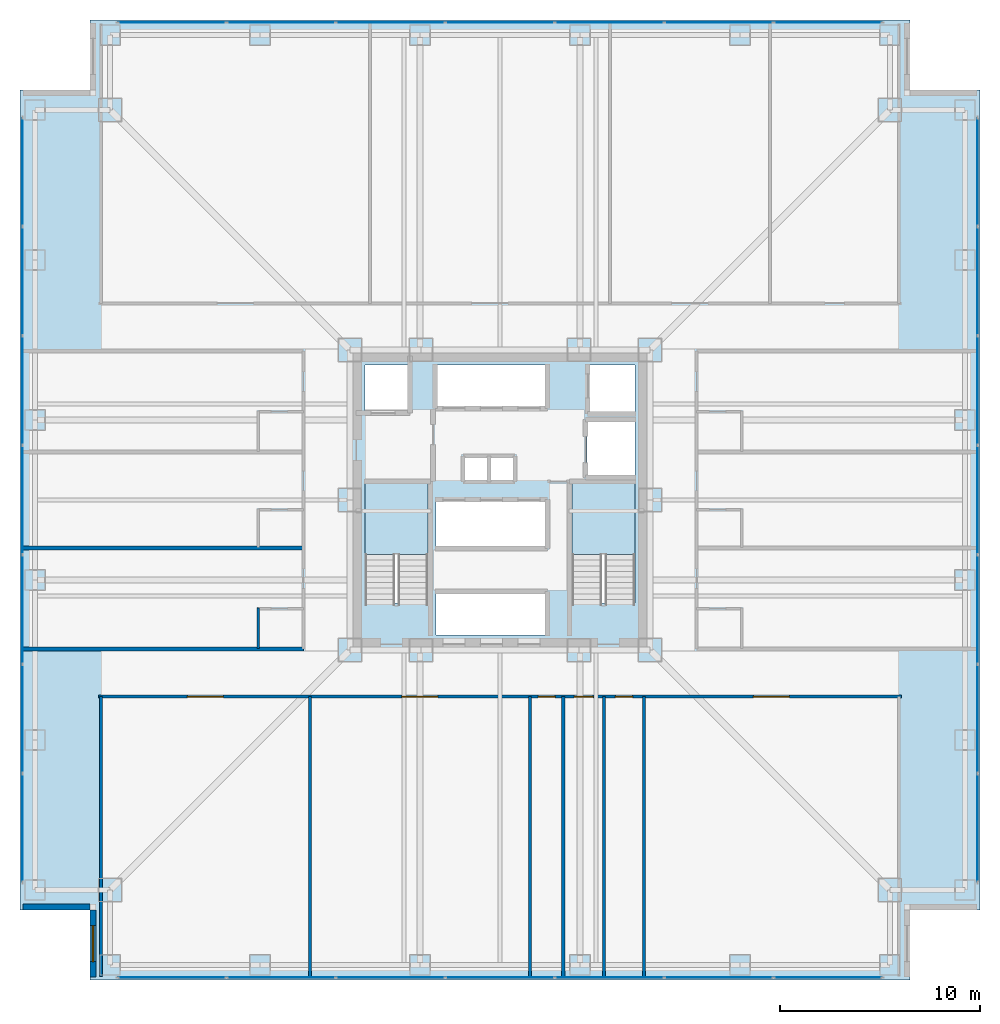
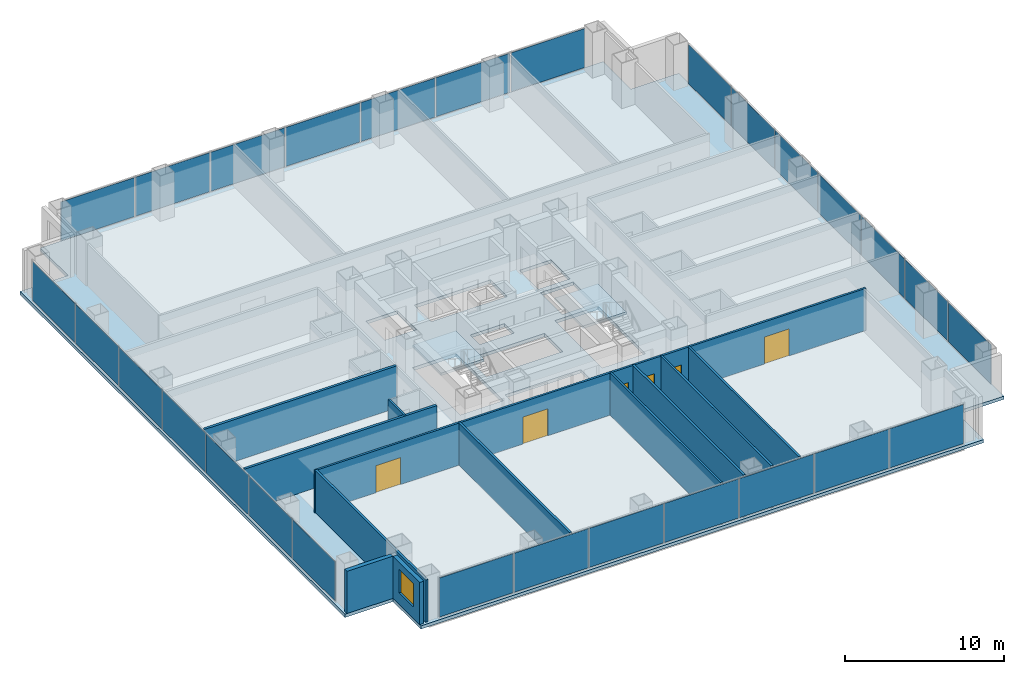
# One storey, part 10 of 16: 28 plates, 12 walls, 6 doors, 3 slabs, 1 window, 7 openings, 6 elements without a shape of their own.
"""IFC4 building model written with IfcOpenShell, lengths in metres."""

from ifc_helpers import new_model, si_unit, direction, frame, frame_2d, origin, origin_2d, place, context, subcontext, project, spatial, polyline, rectangle, outline, extrude, material, layer, layer_set, type_object, element, fill, aggregate, save


model = new_model("IFC4")

# Units and contexts
model_context = context("Model", 3, precision=1e-05, world=origin(), true_north=direction((0.0, 1.0)))
body_context = subcontext(model_context, "Body", "Model", "MODEL_VIEW")
ifc_project = project(units=[si_unit("LENGTHUNIT", "METRE"), si_unit("AREAUNIT", "SQUARE_METRE"), si_unit("VOLUMEUNIT", "CUBIC_METRE"), si_unit("PLANEANGLEUNIT", "RADIAN"), si_unit("MASSUNIT", "GRAM", prefix="KILO")], contexts=[model_context])

# Site, building, storey
site_placement = place(None, origin())
site = spatial("IfcSite", under=ifc_project, at=site_placement, CompositionType="ELEMENT")
building_placement = place(site_placement, origin())
building = spatial("IfcBuilding", under=site, at=building_placement, Name="Trevonay Congress Spire", CompositionType="ELEMENT")
storey_placement = place(building_placement, frame((0.0, 0.0, 51.5)))
storey = spatial("IfcBuildingStorey", under=building, at=storey_placement, Name="L12", CompositionType="ELEMENT", Elevation=51.5)

# Curtain wall, plates
ifc_material_1 = material(Name="Pale Anodised Aluminium EN AW-6063-T6", Category="aluminium")
ifc_layer_1 = layer(ifc_material_1, 0.179931640625, Name="Pale Anodised Aluminium EN AW-6063-T6")
ifc_layer_set_1 = layer_set([ifc_layer_1], Name="Pale Anodised Aluminium EN AW-6063-T6")
curtain_wall_type = type_object("IfcCurtainWallType", Name="CW-SYS02-HOTEL-PALE-METAL", PredefinedType="NOTDEFINED", material=ifc_layer_set_1)
curtain_wall_1_placement = place(storey_placement, origin())
curtain_wall_1 = element("IfcCurtainWall", 1, at=curtain_wall_1_placement, inside=storey, type_object=curtain_wall_type, Name="L12 S unitised curtain wall", PredefinedType="NOTDEFINED")
ifc_material_2 = material(Name="Insulated Low-E Vision Glass IGU", Category="glass")
ifc_layer_2 = layer(ifc_material_2, 0.035888671875, Name="Insulated Low-E Vision Glass IGU")
ifc_layer_set_2 = layer_set([ifc_layer_2], Name="Insulated Low-E Vision Glass IGU")
plate_type = type_object("IfcPlateType", Name="CW-PANEL-IGU36-SILVER", PredefinedType="CURTAIN_PANEL", material=ifc_layer_set_2)
plate_1_placement = place(storey_placement, frame((-16.399169921875, -23.8798828125, 0.1201171875), z_axis=(0.0, 0.0, 1.0), x_axis=(1.0, 0.0, 0.0)))
plate_1 = element("IfcPlate", 2, at=plate_1_placement, type_object=plate_type, Name="CW02 panel 1.1", PredefinedType="CURTAIN_PANEL", context=body_context, shape_type="SweptSolid", body=[
    extrude(rectangle(XDim=5.38134765625, YDim=0.035888671875, at=origin_2d()), origin(), (0.0, 0.0, 1.0), 3.010009765625),
])
plate_2_placement = place(storey_placement, frame((-10.94287109375, -23.8798828125, 0.1201171875), z_axis=(0.0, 0.0, 1.0), x_axis=(1.0, 0.0, 0.0)))
plate_2 = element("IfcPlate", 3, at=plate_2_placement, type_object=plate_type, Name="CW02 panel 2.1", PredefinedType="CURTAIN_PANEL", context=body_context, shape_type="SweptSolid", body=[
    extrude(rectangle(XDim=5.411376953125, YDim=0.035888671875, at=origin_2d()), origin(), (0.0, 0.0, 1.0), 3.010009765625),
])
plate_3_placement = place(storey_placement, frame((-5.471435546875, -23.8798828125, 0.1201171875), z_axis=(0.0, 0.0, 1.0), x_axis=(1.0, 0.0, 0.0)))
plate_3 = element("IfcPlate", 4, at=plate_3_placement, type_object=plate_type, Name="CW02 panel 3.1", PredefinedType="CURTAIN_PANEL", context=body_context, shape_type="SweptSolid", body=[
    extrude(rectangle(XDim=5.411376953125, YDim=0.035888671875, at=origin_2d()), origin(), (0.0, 0.0, 1.0), 3.010009765625),
])
plate_4_placement = place(storey_placement, frame((0.0, -23.8798828125, 0.1201171875), z_axis=(0.0, 0.0, 1.0), x_axis=(1.0, 0.0, 0.0)))
plate_4 = element("IfcPlate", 5, at=plate_4_placement, type_object=plate_type, Name="CW02 panel 4.1", PredefinedType="CURTAIN_PANEL", context=body_context, shape_type="SweptSolid", body=[
    extrude(rectangle(XDim=5.411376953125, YDim=0.035888671875, at=origin_2d()), origin(), (0.0, 0.0, 1.0), 3.010009765625),
])
plate_5_placement = place(storey_placement, frame((5.471435546875, -23.8798828125, 0.1201171875), z_axis=(0.0, 0.0, 1.0), x_axis=(1.0, 0.0, 0.0)))
plate_5 = element("IfcPlate", 6, at=plate_5_placement, type_object=plate_type, Name="CW02 panel 5.1", PredefinedType="CURTAIN_PANEL", context=body_context, shape_type="SweptSolid", body=[
    extrude(rectangle(XDim=5.411376953125, YDim=0.035888671875, at=origin_2d()), origin(), (0.0, 0.0, 1.0), 3.010009765625),
])
plate_6_placement = place(storey_placement, frame((10.94287109375, -23.8798828125, 0.1201171875), z_axis=(0.0, 0.0, 1.0), x_axis=(1.0, 0.0, 0.0)))
plate_6 = element("IfcPlate", 7, at=plate_6_placement, type_object=plate_type, Name="CW02 panel 6.1", PredefinedType="CURTAIN_PANEL", context=body_context, shape_type="SweptSolid", body=[
    extrude(rectangle(XDim=5.411376953125, YDim=0.035888671875, at=origin_2d()), origin(), (0.0, 0.0, 1.0), 3.010009765625),
])
plate_7_placement = place(storey_placement, frame((16.399169921875, -23.8798828125, 0.1201171875), z_axis=(0.0, 0.0, 1.0), x_axis=(1.0, 0.0, 0.0)))
plate_7 = element("IfcPlate", 8, at=plate_7_placement, type_object=plate_type, Name="CW02 panel 7.1", PredefinedType="CURTAIN_PANEL", context=body_context, shape_type="SweptSolid", body=[
    extrude(rectangle(XDim=5.38134765625, YDim=0.035888671875, at=origin_2d()), origin(), (0.0, 0.0, 1.0), 3.010009765625),
])
aggregate(curtain_wall_1, [plate_1, plate_2, plate_3, plate_4, plate_5, plate_6, plate_7])

curtain_wall_2_placement = place(storey_placement, origin())
curtain_wall_2 = element("IfcCurtainWall", 9, at=curtain_wall_2_placement, inside=storey, type_object=curtain_wall_type, Name="L12 N unitised curtain wall", PredefinedType="NOTDEFINED")
plate_8_placement = place(storey_placement, frame((-16.399169921875, 23.8798828125, 0.1201171875), z_axis=(0.0, 0.0, 1.0), x_axis=(1.0, 0.0, 0.0)))
plate_8 = element("IfcPlate", 10, at=plate_8_placement, type_object=plate_type, Name="CW02 panel 1.1", PredefinedType="CURTAIN_PANEL", context=body_context, shape_type="SweptSolid", body=[
    extrude(rectangle(XDim=5.38134765625, YDim=0.035888671875, at=origin_2d()), origin(), (0.0, 0.0, 1.0), 3.010009765625),
])
plate_9_placement = place(storey_placement, frame((-10.94287109375, 23.8798828125, 0.1201171875), z_axis=(0.0, 0.0, 1.0), x_axis=(1.0, 0.0, 0.0)))
plate_9 = element("IfcPlate", 11, at=plate_9_placement, type_object=plate_type, Name="CW02 panel 2.1", PredefinedType="CURTAIN_PANEL", context=body_context, shape_type="SweptSolid", body=[
    extrude(rectangle(XDim=5.411376953125, YDim=0.035888671875, at=origin_2d()), origin(), (0.0, 0.0, 1.0), 3.010009765625),
])
plate_10_placement = place(storey_placement, frame((-5.471435546875, 23.8798828125, 0.1201171875), z_axis=(0.0, 0.0, 1.0), x_axis=(1.0, 0.0, 0.0)))
plate_10 = element("IfcPlate", 12, at=plate_10_placement, type_object=plate_type, Name="CW02 panel 3.1", PredefinedType="CURTAIN_PANEL", context=body_context, shape_type="SweptSolid", body=[
    extrude(rectangle(XDim=5.411376953125, YDim=0.035888671875, at=origin_2d()), origin(), (0.0, 0.0, 1.0), 3.010009765625),
])
plate_11_placement = place(storey_placement, frame((0.0, 23.8798828125, 0.1201171875), z_axis=(0.0, 0.0, 1.0), x_axis=(1.0, 0.0, 0.0)))
plate_11 = element("IfcPlate", 13, at=plate_11_placement, type_object=plate_type, Name="CW02 panel 4.1", PredefinedType="CURTAIN_PANEL", context=body_context, shape_type="SweptSolid", body=[
    extrude(rectangle(XDim=5.411376953125, YDim=0.035888671875, at=origin_2d()), origin(), (0.0, 0.0, 1.0), 3.010009765625),
])
plate_12_placement = place(storey_placement, frame((5.471435546875, 23.8798828125, 0.1201171875), z_axis=(0.0, 0.0, 1.0), x_axis=(1.0, 0.0, 0.0)))
plate_12 = element("IfcPlate", 14, at=plate_12_placement, type_object=plate_type, Name="CW02 panel 5.1", PredefinedType="CURTAIN_PANEL", context=body_context, shape_type="SweptSolid", body=[
    extrude(rectangle(XDim=5.411376953125, YDim=0.035888671875, at=origin_2d()), origin(), (0.0, 0.0, 1.0), 3.010009765625),
])
plate_13_placement = place(storey_placement, frame((10.94287109375, 23.8798828125, 0.1201171875), z_axis=(0.0, 0.0, 1.0), x_axis=(1.0, 0.0, 0.0)))
plate_13 = element("IfcPlate", 15, at=plate_13_placement, type_object=plate_type, Name="CW02 panel 6.1", PredefinedType="CURTAIN_PANEL", context=body_context, shape_type="SweptSolid", body=[
    extrude(rectangle(XDim=5.411376953125, YDim=0.035888671875, at=origin_2d()), origin(), (0.0, 0.0, 1.0), 3.010009765625),
])
plate_14_placement = place(storey_placement, frame((16.399169921875, 23.8798828125, 0.1201171875), z_axis=(0.0, 0.0, 1.0), x_axis=(1.0, 0.0, 0.0)))
plate_14 = element("IfcPlate", 16, at=plate_14_placement, type_object=plate_type, Name="CW02 panel 7.1", PredefinedType="CURTAIN_PANEL", context=body_context, shape_type="SweptSolid", body=[
    extrude(rectangle(XDim=5.38134765625, YDim=0.035888671875, at=origin_2d()), origin(), (0.0, 0.0, 1.0), 3.010009765625),
])
aggregate(curtain_wall_2, [plate_8, plate_9, plate_10, plate_11, plate_12, plate_13, plate_14])

curtain_wall_3_placement = place(storey_placement, origin())
curtain_wall_3 = element("IfcCurtainWall", 17, at=curtain_wall_3_placement, inside=storey, type_object=curtain_wall_type, Name="L12 W unitised curtain wall", PredefinedType="NOTDEFINED")
plate_15_placement = place(storey_placement, frame((-23.8798828125, -16.399169921875, 0.1201171875), z_axis=(0.0, 0.0, 1.0), x_axis=(0.0, 1.0, 0.0)))
plate_15 = element("IfcPlate", 18, at=plate_15_placement, type_object=plate_type, Name="CW02 panel 1.1", PredefinedType="CURTAIN_PANEL", context=body_context, shape_type="SweptSolid", body=[
    extrude(rectangle(XDim=5.38134765625, YDim=0.035888671875, at=origin_2d()), origin(), (0.0, 0.0, 1.0), 3.010009765625),
])
plate_16_placement = place(storey_placement, frame((-23.8798828125, -10.94287109375, 0.1201171875), z_axis=(0.0, 0.0, 1.0), x_axis=(0.0, 1.0, 0.0)))
plate_16 = element("IfcPlate", 19, at=plate_16_placement, type_object=plate_type, Name="CW02 panel 2.1", PredefinedType="CURTAIN_PANEL", context=body_context, shape_type="SweptSolid", body=[
    extrude(rectangle(XDim=5.411376953125, YDim=0.035888671875, at=origin_2d()), origin(), (0.0, 0.0, 1.0), 3.010009765625),
])
plate_17_placement = place(storey_placement, frame((-23.8798828125, -5.471435546875, 0.1201171875), z_axis=(0.0, 0.0, 1.0), x_axis=(0.0, 1.0, 0.0)))
plate_17 = element("IfcPlate", 20, at=plate_17_placement, type_object=plate_type, Name="CW02 panel 3.1", PredefinedType="CURTAIN_PANEL", context=body_context, shape_type="SweptSolid", body=[
    extrude(rectangle(XDim=5.411376953125, YDim=0.035888671875, at=origin_2d()), origin(), (0.0, 0.0, 1.0), 3.010009765625),
])
plate_18_placement = place(storey_placement, frame((-23.8798828125, 0.0, 0.1201171875), z_axis=(0.0, 0.0, 1.0), x_axis=(0.0, 1.0, 0.0)))
plate_18 = element("IfcPlate", 21, at=plate_18_placement, type_object=plate_type, Name="CW02 panel 4.1", PredefinedType="CURTAIN_PANEL", context=body_context, shape_type="SweptSolid", body=[
    extrude(rectangle(XDim=5.411376953125, YDim=0.035888671875, at=origin_2d()), origin(), (0.0, 0.0, 1.0), 3.010009765625),
])
plate_19_placement = place(storey_placement, frame((-23.8798828125, 5.471435546875, 0.1201171875), z_axis=(0.0, 0.0, 1.0), x_axis=(0.0, 1.0, 0.0)))
plate_19 = element("IfcPlate", 22, at=plate_19_placement, type_object=plate_type, Name="CW02 panel 5.1", PredefinedType="CURTAIN_PANEL", context=body_context, shape_type="SweptSolid", body=[
    extrude(rectangle(XDim=5.411376953125, YDim=0.035888671875, at=origin_2d()), origin(), (0.0, 0.0, 1.0), 3.010009765625),
])
plate_20_placement = place(storey_placement, frame((-23.8798828125, 10.94287109375, 0.1201171875), z_axis=(0.0, 0.0, 1.0), x_axis=(0.0, 1.0, 0.0)))
plate_20 = element("IfcPlate", 23, at=plate_20_placement, type_object=plate_type, Name="CW02 panel 6.1", PredefinedType="CURTAIN_PANEL", context=body_context, shape_type="SweptSolid", body=[
    extrude(rectangle(XDim=5.411376953125, YDim=0.035888671875, at=origin_2d()), origin(), (0.0, 0.0, 1.0), 3.010009765625),
])
plate_21_placement = place(storey_placement, frame((-23.8798828125, 16.399169921875, 0.1201171875), z_axis=(0.0, 0.0, 1.0), x_axis=(0.0, 1.0, 0.0)))
plate_21 = element("IfcPlate", 24, at=plate_21_placement, type_object=plate_type, Name="CW02 panel 7.1", PredefinedType="CURTAIN_PANEL", context=body_context, shape_type="SweptSolid", body=[
    extrude(rectangle(XDim=5.38134765625, YDim=0.035888671875, at=origin_2d()), origin(), (0.0, 0.0, 1.0), 3.010009765625),
])
aggregate(curtain_wall_3, [plate_15, plate_16, plate_17, plate_18, plate_19, plate_20, plate_21])

curtain_wall_4_placement = place(storey_placement, origin())
curtain_wall_4 = element("IfcCurtainWall", 25, at=curtain_wall_4_placement, inside=storey, type_object=curtain_wall_type, Name="L12 E unitised curtain wall", PredefinedType="NOTDEFINED")
plate_22_placement = place(storey_placement, frame((23.8798828125, -16.399169921875, 0.1201171875), z_axis=(0.0, 0.0, 1.0), x_axis=(0.0, 1.0, 0.0)))
plate_22 = element("IfcPlate", 26, at=plate_22_placement, type_object=plate_type, Name="CW02 panel 1.1", PredefinedType="CURTAIN_PANEL", context=body_context, shape_type="SweptSolid", body=[
    extrude(rectangle(XDim=5.38134765625, YDim=0.035888671875, at=origin_2d()), origin(), (0.0, 0.0, 1.0), 3.010009765625),
])
plate_23_placement = place(storey_placement, frame((23.8798828125, -10.94287109375, 0.1201171875), z_axis=(0.0, 0.0, 1.0), x_axis=(0.0, 1.0, 0.0)))
plate_23 = element("IfcPlate", 27, at=plate_23_placement, type_object=plate_type, Name="CW02 panel 2.1", PredefinedType="CURTAIN_PANEL", context=body_context, shape_type="SweptSolid", body=[
    extrude(rectangle(XDim=5.411376953125, YDim=0.035888671875, at=origin_2d()), origin(), (0.0, 0.0, 1.0), 3.010009765625),
])
plate_24_placement = place(storey_placement, frame((23.8798828125, -5.471435546875, 0.1201171875), z_axis=(0.0, 0.0, 1.0), x_axis=(0.0, 1.0, 0.0)))
plate_24 = element("IfcPlate", 28, at=plate_24_placement, type_object=plate_type, Name="CW02 panel 3.1", PredefinedType="CURTAIN_PANEL", context=body_context, shape_type="SweptSolid", body=[
    extrude(rectangle(XDim=5.411376953125, YDim=0.035888671875, at=origin_2d()), origin(), (0.0, 0.0, 1.0), 3.010009765625),
])
plate_25_placement = place(storey_placement, frame((23.8798828125, 0.0, 0.1201171875), z_axis=(0.0, 0.0, 1.0), x_axis=(0.0, 1.0, 0.0)))
plate_25 = element("IfcPlate", 29, at=plate_25_placement, type_object=plate_type, Name="CW02 panel 4.1", PredefinedType="CURTAIN_PANEL", context=body_context, shape_type="SweptSolid", body=[
    extrude(rectangle(XDim=5.411376953125, YDim=0.035888671875, at=origin_2d()), origin(), (0.0, 0.0, 1.0), 3.010009765625),
])
plate_26_placement = place(storey_placement, frame((23.8798828125, 5.471435546875, 0.1201171875), z_axis=(0.0, 0.0, 1.0), x_axis=(0.0, 1.0, 0.0)))
plate_26 = element("IfcPlate", 30, at=plate_26_placement, type_object=plate_type, Name="CW02 panel 5.1", PredefinedType="CURTAIN_PANEL", context=body_context, shape_type="SweptSolid", body=[
    extrude(rectangle(XDim=5.411376953125, YDim=0.035888671875, at=origin_2d()), origin(), (0.0, 0.0, 1.0), 3.010009765625),
])
plate_27_placement = place(storey_placement, frame((23.8798828125, 10.94287109375, 0.1201171875), z_axis=(0.0, 0.0, 1.0), x_axis=(0.0, 1.0, 0.0)))
plate_27 = element("IfcPlate", 31, at=plate_27_placement, type_object=plate_type, Name="CW02 panel 6.1", PredefinedType="CURTAIN_PANEL", context=body_context, shape_type="SweptSolid", body=[
    extrude(rectangle(XDim=5.411376953125, YDim=0.035888671875, at=origin_2d()), origin(), (0.0, 0.0, 1.0), 3.010009765625),
])
plate_28_placement = place(storey_placement, frame((23.8798828125, 16.399169921875, 0.1201171875), z_axis=(0.0, 0.0, 1.0), x_axis=(0.0, 1.0, 0.0)))
plate_28 = element("IfcPlate", 32, at=plate_28_placement, type_object=plate_type, Name="CW02 panel 7.1", PredefinedType="CURTAIN_PANEL", context=body_context, shape_type="SweptSolid", body=[
    extrude(rectangle(XDim=5.38134765625, YDim=0.035888671875, at=origin_2d()), origin(), (0.0, 0.0, 1.0), 3.010009765625),
])
aggregate(curtain_wall_4, [plate_22, plate_23, plate_24, plate_25, plate_26, plate_27, plate_28])

# Stair, slab
ifc_material_3 = material(Name="Concrete C40/50", Category="concrete")
stair_type_1 = type_object("IfcStairType", Name="STR-ST-1", PredefinedType="HALF_TURN_STAIR", material=ifc_material_3)
stair_1_placement = place(storey_placement, origin())
stair_1 = element("IfcStair", 33, at=stair_1_placement, inside=storey, type_object=stair_type_1, Name="L12 Protected Exit Stair ST-1", PredefinedType="HALF_TURN_STAIR")
ifc_layer_3 = layer(ifc_material_3, 0.199951171875, Name="Concrete C40/50")
ifc_layer_set_3 = layer_set([ifc_layer_3], Name="Concrete C40/50")
slab_type_1 = type_object("IfcSlabType", Name="SLB-STAIR-LAND-200", PredefinedType="LANDING", material=ifc_layer_set_3)
slab_1_placement = place(storey_placement, frame((0.0, 0.0, 1.550048828125)))
slab_1 = element("IfcSlab", 34, at=slab_1_placement, type_object=slab_type_1, Name="ST-1 landing 1", PredefinedType="LANDING", context=body_context, shape_type="SweptSolid", body=[
    extrude(outline(polyline([(-3.60009765625, -2.72998046875), (-3.60009765625, 0.85009765625), (-6.75, 0.85009765625), (-6.75, -2.72998046875), (-3.60009765625, -2.72998046875)])), origin(), (0.0, 0.0, 1.0), 0.199951171875),
])
aggregate(stair_1, [slab_1])

stair_type_2 = type_object("IfcStairType", Name="STR-ST-2", PredefinedType="HALF_TURN_STAIR", material=ifc_material_3)
stair_2_placement = place(storey_placement, origin())
stair_2 = element("IfcStair", 35, at=stair_2_placement, inside=storey, type_object=stair_type_2, Name="L12 Protected Exit Stair ST-2", PredefinedType="HALF_TURN_STAIR")
slab_2_placement = place(storey_placement, frame((0.0, 0.0, 1.550048828125)))
slab_2 = element("IfcSlab", 36, at=slab_2_placement, type_object=slab_type_1, Name="ST-2 landing 1", PredefinedType="LANDING", context=body_context, shape_type="SweptSolid", body=[
    extrude(outline(polyline([(6.75, -2.72998046875), (6.75, 0.85009765625), (3.60009765625, 0.85009765625), (3.60009765625, -2.72998046875), (6.75, -2.72998046875)])), origin(), (0.0, 0.0, 1.0), 0.199951171875),
])
aggregate(stair_2, [slab_2])

# Slab
ifc_layer_4 = layer(ifc_material_3, 0.25, Name="Concrete C40/50")
ifc_layer_set_4 = layer_set([ifc_layer_4], Name="Concrete C40/50")
slab_type_2 = type_object("IfcSlabType", Name="SLB-TOW1-250", PredefinedType="FLOOR", material=ifc_layer_set_4)
slab_3_placement = place(storey_placement, frame((0.0, 0.0, -0.25)))
element("IfcSlab", 37, at=slab_3_placement, inside=storey, type_object=slab_type_2, Name="L12 structural floor slab", PredefinedType="FLOOR", context=body_context, shape_type="SweptSolid", body=[
    extrude(outline(polyline([(-20.5, -24.0), (20.5, -24.0), (20.5, -20.5), (24.0, -20.5), (24.0, 20.5), (20.5, 20.5), (20.5, 24.0), (-20.5, 24.0), (-20.5, 20.5), (-24.0, 20.5), (-24.0, -20.5), (-20.5, -20.5), (-20.5, -24.0)]), holes=[polyline([(-3.60009765625, -5.14990234375), (-3.60009765625, 0.85009765625), (-6.75, 0.85009765625), (-6.75, -5.14990234375), (-3.60009765625, -5.14990234375)]), polyline([(6.75, -5.14990234375), (6.75, 0.85009765625), (3.60009765625, 0.85009765625), (3.60009765625, -5.14990234375), (6.75, -5.14990234375)]), polyline([(-3.199951171875, -6.75), (2.340087890625, -6.75), (2.340087890625, -4.64990234375), (-3.199951171875, -4.64990234375), (-3.199951171875, -6.75)]), polyline([(-3.199951171875, -2.35009765625), (2.340087890625, -2.35009765625), (2.340087890625, -0.050048828125), (-3.199951171875, -0.050048828125), (-3.199951171875, -2.35009765625)]), polyline([(-3.199951171875, 4.64990234375), (2.340087890625, 4.64990234375), (2.340087890625, 6.75), (-3.199951171875, 6.75), (-3.199951171875, 4.64990234375)]), polyline([(-6.75, 4.35009765625), (-4.449951171875, 4.35009765625), (-4.449951171875, 6.75), (-6.75, 6.75), (-6.75, 4.35009765625)]), polyline([(4.449951171875, 4.35009765625), (6.75, 4.35009765625), (6.75, 6.75), (4.449951171875, 6.75), (4.449951171875, 4.35009765625)]), polyline([(4.35009765625, 1.199951171875), (6.75, 1.199951171875), (6.75, 3.949951171875), (4.35009765625, 3.949951171875), (4.35009765625, 1.199951171875)]), polyline([(-1.800048828125, 0.949951171875), (0.699951171875, 0.949951171875), (0.699951171875, 2.14990234375), (-1.800048828125, 2.14990234375), (-1.800048828125, 0.949951171875)])]), origin(), (0.0, 0.0, 1.0), 0.25),
])

# Wall
ifc_layer_5 = layer(ifc_material_3, 0.1201171875, Name="Concrete C40/50")
ifc_layer_set_5 = layer_set([ifc_layer_5], Name="Concrete C40/50")
wall_type_1 = type_object("IfcWallType", Name="WAL-BATH-120", PredefinedType="PLUMBINGWALL", material=ifc_layer_set_5)
wall_1_placement = place(storey_placement, frame((-12.080078125, -7.419921875, 0.0), z_axis=(0.0, 0.0, 1.0), x_axis=(0.0, 1.0, 0.0)))
element("IfcWall", 38, at=wall_1_placement, inside=storey, type_object=wall_type_1, Name="L12 interior wall WH-L12W-BF1", PredefinedType="PLUMBINGWALL", context=body_context, shape_type="SweptSolid", body=[
    extrude(rectangle(XDim=2.0078125, YDim=0.1201171875, at=frame_2d((1.00390625, 0.0))), origin(), (0.0, 0.0, 1.0), 3.25),
])

# Wall, openings, doors
ifc_layer_6 = layer(ifc_material_3, 0.14990234375, Name="Concrete C40/50")
ifc_layer_set_6 = layer_set([ifc_layer_6], Name="Concrete C40/50")
wall_type_2 = type_object("IfcWallType", Name="WAL-CORR-150", PredefinedType="PARTITIONING", material=ifc_layer_set_6)
wall_2_placement = place(storey_placement, frame((-20.070068359375, -9.830078125, 0.0), z_axis=(0.0, 0.0, 1.0), x_axis=(1.0, 0.0, 0.0)))
wall_2 = element("IfcWall", 39, at=wall_2_placement, inside=storey, type_object=wall_type_2, Name="L12 interior wall WP-L12S-COR", PredefinedType="PARTITIONING", context=body_context, shape_type="SweptSolid", body=[
    extrude(rectangle(XDim=40.14013671875, YDim=0.14990234375, at=frame_2d((20.070068359375, 0.0))), origin(), (0.0, 0.0, 1.0), 3.25),
])
opening_1_placement = place(wall_2_placement, frame((4.445068359375, 0.0, 0.0)))
opening_1 = element("IfcOpeningElement", 40, at=opening_1_placement, cuts=wall_2, Name="Opening D09", PredefinedType="OPENING", context=body_context, shape_type="SweptSolid", body=[
    extrude(rectangle(XDim=1.800048828125, YDim=2.080078125, at=frame_2d((0.89990234375, 1.0400390625))), frame((0.0, 0.0849609375, 0.0), z_axis=(0.0, -1.0, 0.0), x_axis=(1.0, 0.0, 0.0)), (0.0, 0.0, 1.0), 0.169921875),
])
opening_2_placement = place(wall_2_placement, frame((15.169921875, 0.0, 0.0)))
opening_2 = element("IfcOpeningElement", 41, at=opening_2_placement, cuts=wall_2, Name="Opening D09", PredefinedType="OPENING", context=body_context, shape_type="SweptSolid", body=[
    extrude(rectangle(XDim=1.800048828125, YDim=2.080078125, at=frame_2d((0.89990234375, 1.0400390625))), frame((0.0, 0.0849609375, 0.0), z_axis=(0.0, -1.0, 0.0), x_axis=(1.0, 0.0, 0.0)), (0.0, 0.0, 1.0), 0.169921875),
])
opening_3_placement = place(wall_2_placement, frame((21.97998046875, 0.0, 0.0)))
opening_3 = element("IfcOpeningElement", 42, at=opening_3_placement, cuts=wall_2, Name="Opening D10", PredefinedType="OPENING", context=body_context, shape_type="SweptSolid", body=[
    extrude(rectangle(XDim=0.85009765625, YDim=2.050048828125, at=frame_2d((0.425048828125, 1.02490234375))), frame((0.0, 0.0849609375, 0.0), z_axis=(0.0, -1.0, 0.0), x_axis=(1.0, 0.0, 0.0)), (0.0, 0.0, 1.0), 0.169921875),
])
opening_4_placement = place(wall_2_placement, frame((23.780029296875, 0.0, 0.0)))
opening_4 = element("IfcOpeningElement", 43, at=opening_4_placement, cuts=wall_2, Name="Opening D07", PredefinedType="OPENING", context=body_context, shape_type="SweptSolid", body=[
    extrude(rectangle(XDim=0.949951171875, YDim=2.06005859375, at=frame_2d((0.47509765625, 1.030029296875))), frame((0.0, 0.0849609375, 0.0), z_axis=(0.0, -1.0, 0.0), x_axis=(1.0, 0.0, 0.0)), (0.0, 0.0, 1.0), 0.169921875),
])
opening_5_placement = place(wall_2_placement, frame((25.844970703125, 0.0, 0.0)))
opening_5 = element("IfcOpeningElement", 44, at=opening_5_placement, cuts=wall_2, Name="Opening D10", PredefinedType="OPENING", context=body_context, shape_type="SweptSolid", body=[
    extrude(rectangle(XDim=0.85009765625, YDim=2.050048828125, at=frame_2d((0.425048828125, 1.02490234375))), frame((0.0, 0.0849609375, 0.0), z_axis=(0.0, -1.0, 0.0), x_axis=(1.0, 0.0, 0.0)), (0.0, 0.0, 1.0), 0.169921875),
])
opening_6_placement = place(wall_2_placement, frame((32.7451171875, 0.0, 0.0)))
opening_6 = element("IfcOpeningElement", 45, at=opening_6_placement, cuts=wall_2, Name="Opening D09", PredefinedType="OPENING", context=body_context, shape_type="SweptSolid", body=[
    extrude(rectangle(XDim=1.800048828125, YDim=2.080078125, at=frame_2d((0.89990234375, 1.0400390625))), frame((0.0, 0.0849609375, 0.0), z_axis=(0.0, -1.0, 0.0), x_axis=(1.0, 0.0, 0.0)), (0.0, 0.0, 1.0), 0.169921875),
])
door_type_1 = type_object("IfcDoorType", Name="DOR-CONF-DBL", OperationType="DOUBLE_DOOR_SINGLE_SWING", PredefinedType="DOOR", material=ifc_material_1)
door_1_placement = place(opening_1_placement, origin())
door_1 = element("IfcDoor", 46, at=door_1_placement, inside=storey, type_object=door_type_1, Name="L12 Thermal Hydrotherapy Spa Lounge Door", OperationType="DOUBLE_DOOR_SINGLE_SWING", OverallHeight=2.080078125, OverallWidth=1.800048828125, PredefinedType="DOOR", context=body_context, shape_type="SweptSolid", body=[
    extrude(rectangle(XDim=1.800048828125, YDim=2.080078125, at=frame_2d((0.89990234375, 1.0400390625))), frame((0.0, 0.02490234375, 0.0), z_axis=(0.0, -1.0, 0.0), x_axis=(1.0, 0.0, 0.0)), (0.0, 0.0, 1.0), 0.050048828125),
])
fill(opening_1, door_1)
door_2_placement = place(opening_2_placement, origin())
door_2 = element("IfcDoor", 47, at=door_2_placement, inside=storey, type_object=door_type_1, Name="L12 Wellness Yoga and Pilates Lounge Door", OperationType="DOUBLE_DOOR_SINGLE_SWING", OverallHeight=2.080078125, OverallWidth=1.800048828125, PredefinedType="DOOR", context=body_context, shape_type="SweptSolid", body=[
    extrude(rectangle(XDim=1.800048828125, YDim=2.080078125, at=frame_2d((0.89990234375, 1.0400390625))), frame((0.0, 0.02490234375, 0.0), z_axis=(0.0, -1.0, 0.0), x_axis=(1.0, 0.0, 0.0)), (0.0, 0.0, 1.0), 0.050048828125),
])
fill(opening_2, door_2)
door_3_placement = place(opening_6_placement, origin())
door_3 = element("IfcDoor", 48, at=door_3_placement, inside=storey, type_object=door_type_1, Name="L12 Poolside Juice Bar Door", OperationType="DOUBLE_DOOR_SINGLE_SWING", OverallHeight=2.080078125, OverallWidth=1.800048828125, PredefinedType="DOOR", context=body_context, shape_type="SweptSolid", body=[
    extrude(rectangle(XDim=1.800048828125, YDim=2.080078125, at=frame_2d((0.89990234375, 1.0400390625))), frame((0.0, 0.02490234375, 0.0), z_axis=(0.0, -1.0, 0.0), x_axis=(1.0, 0.0, 0.0)), (0.0, 0.0, 1.0), 0.050048828125),
])
fill(opening_6, door_3)
door_type_2 = type_object("IfcDoorType", Name="DOR-OFFICE-95", OperationType="NOTDEFINED", PredefinedType="DOOR", material=ifc_material_1)
door_4_placement = place(opening_4_placement, origin())
door_4 = element("IfcDoor", 49, at=door_4_placement, inside=storey, type_object=door_type_2, Name="L12 Floor Supplies and Copy Room Door", OperationType="SINGLE_SWING_LEFT", OverallHeight=2.06005859375, OverallWidth=0.949951171875, PredefinedType="DOOR", context=body_context, shape_type="SweptSolid", body=[
    extrude(rectangle(XDim=0.949951171875, YDim=2.06005859375, at=frame_2d((0.47509765625, 1.030029296875))), frame((0.0, 0.02490234375, 0.0), z_axis=(0.0, -1.0, 0.0), x_axis=(1.0, 0.0, 0.0)), (0.0, 0.0, 1.0), 0.050048828125),
])
fill(opening_4, door_4)
door_type_3 = type_object("IfcDoorType", Name="DOR-WC-85", OperationType="NOTDEFINED", PredefinedType="DOOR", material=ifc_material_1)
door_5_placement = place(opening_3_placement, origin())
door_5 = element("IfcDoor", 50, at=door_5_placement, inside=storey, type_object=door_type_3, Name="L12 Spa Changing Restroom WC Door", OperationType="SINGLE_SWING_RIGHT", OverallHeight=2.050048828125, OverallWidth=0.85009765625, PredefinedType="DOOR", context=body_context, shape_type="SweptSolid", body=[
    extrude(rectangle(XDim=0.85009765625, YDim=2.050048828125, at=frame_2d((0.425048828125, 1.02490234375))), frame((0.0, 0.02490234375, 0.0), z_axis=(0.0, -1.0, 0.0), x_axis=(1.0, 0.0, 0.0)), (0.0, 0.0, 1.0), 0.050048828125),
])
fill(opening_3, door_5)
door_6_placement = place(opening_5_placement, origin())
door_6 = element("IfcDoor", 51, at=door_6_placement, inside=storey, type_object=door_type_3, Name="L12 Accessible WC Door", OperationType="SINGLE_SWING_RIGHT", OverallHeight=2.050048828125, OverallWidth=0.85009765625, PredefinedType="DOOR", context=body_context, shape_type="SweptSolid", body=[
    extrude(rectangle(XDim=0.85009765625, YDim=2.050048828125, at=frame_2d((0.425048828125, 1.02490234375))), frame((0.0, 0.02490234375, 0.0), z_axis=(0.0, -1.0, 0.0), x_axis=(1.0, 0.0, 0.0)), (0.0, 0.0, 1.0), 0.050048828125),
])
fill(opening_5, door_6)

# Wall, opening, window
ifc_material_4 = material(Name="Precast concrete C40/50", Category="concrete")
ifc_layer_7 = layer(ifc_material_4, 0.300048828125, Name="Precast concrete C40/50")
ifc_layer_set_7 = layer_set([ifc_layer_7], Name="Precast concrete C40/50")
wall_type_3 = type_object("IfcWallType", Name="WAL-EXT-PRECAST-300", PredefinedType="SOLIDWALL", material=ifc_layer_set_7)
wall_3_placement = place(storey_placement, frame((-20.35009765625, -23.85009765625, 0.0), z_axis=(0.0, 0.0, 1.0), x_axis=(0.0, 1.0, 0.0)))
wall_3 = element("IfcWall", 52, at=wall_3_placement, inside=storey, type_object=wall_type_3, Name="L12 SW re-entrant notch exterior wall 1", PredefinedType="SOLIDWALL", context=body_context, shape_type="SweptSolid", body=[
    extrude(rectangle(XDim=3.35009765625, YDim=0.300048828125, at=frame_2d((1.675048828125, 0.0))), origin(), (0.0, 0.0, 1.0), 3.25),
])
opening_7_placement = place(wall_3_placement, frame((0.77490234375, 0.0, 0.89990234375)))
opening_7 = element("IfcOpeningElement", 53, at=opening_7_placement, cuts=wall_3, Name="Opening WN01", PredefinedType="OPENING", context=body_context, shape_type="SweptSolid", body=[
    extrude(rectangle(XDim=1.800048828125, YDim=1.800048828125, at=frame_2d((0.89990234375, 0.89990234375))), frame((0.0, 0.16015625, 0.0), z_axis=(0.0, -1.0, 0.0), x_axis=(1.0, 0.0, 0.0)), (0.0, 0.0, 1.0), 0.320068359375),
])
window_type = type_object("IfcWindowType", Name="WIN-HOTEL-180X180", PartitioningType="SINGLE_PANEL", PredefinedType="WINDOW", material=ifc_material_2)
window_placement = place(opening_7_placement, origin())
window = element("IfcWindow", 54, at=window_placement, inside=storey, type_object=window_type, Name="L12 SW corner notch window", OverallHeight=1.800048828125, OverallWidth=1.800048828125, PartitioningType="SINGLE_PANEL", PredefinedType="WINDOW", context=body_context, shape_type="SweptSolid", body=[
    extrude(rectangle(XDim=1.800048828125, YDim=1.800048828125, at=frame_2d((0.89990234375, 0.89990234375))), frame((0.0, 0.030029296875, 0.0), z_axis=(0.0, -1.0, 0.0), x_axis=(1.0, 0.0, 0.0)), (0.0, 0.0, 1.0), 0.06005859375),
])
fill(opening_7, window)

# Walls
wall_4_placement = place(storey_placement, frame((-23.85009765625, -20.35009765625, 0.0), z_axis=(0.0, 0.0, 1.0), x_axis=(1.0, 0.0, 0.0)))
element("IfcWall", 55, at=wall_4_placement, inside=storey, type_object=wall_type_3, Name="L12 SW re-entrant notch exterior wall 2", PredefinedType="SOLIDWALL", context=body_context, shape_type="SweptSolid", body=[
    extrude(rectangle(XDim=3.35009765625, YDim=0.300048828125, at=frame_2d((1.675048828125, 0.0))), origin(), (0.0, 0.0, 1.0), 3.25),
])
ifc_layer_8 = layer(ifc_material_3, 0.179931640625, Name="Concrete C40/50")
ifc_layer_set_8 = layer_set([ifc_layer_8], Name="Concrete C40/50")
wall_type_4 = type_object("IfcWallType", Name="WAL-HOTEL-180", PredefinedType="PARTITIONING", material=ifc_layer_set_8)
for number, where, z_axis, x_axis, name in (
    (56, (-23.820068359375, -7.449951171875, 0.0), (0.0, 0.0, 1.0), (1.0, 0.0, 0.0), "L12 interior wall WH-L12W-DIV1"),
    (57, (-23.820068359375, -2.39990234375, 0.0), (0.0, 0.0, 1.0), (1.0, 0.0, 0.0), "L12 interior wall WH-L12W-DIV2"),
):
    element("IfcWall", number, at=place(storey_placement, frame(where, z_axis=z_axis, x_axis=x_axis)), inside=storey, type_object=wall_type_4, Name=name, PredefinedType="PARTITIONING", context=body_context, shape_type="SweptSolid", body=[
        extrude(rectangle(XDim=13.989990234375, YDim=0.179931640625, at=frame_2d((6.9951171875, 0.0))), origin(), (0.0, 0.0, 1.0), 3.25),
    ])
ifc_layer_9 = layer(ifc_material_3, 0.14990234375, Name="Concrete C40/50")
ifc_layer_set_9 = layer_set([ifc_layer_9], Name="Concrete C40/50")
wall_type_5 = type_object("IfcWallType", Name="WAL-PART-150", PredefinedType="PARTITIONING", material=ifc_layer_set_9)
for number, where, z_axis, x_axis, name in (
    (58, (1.5, -23.820068359375, 0.0), (0.0, 0.0, 1.0), (0.0, 1.0, 0.0), "L12 interior wall WP-L12S-DIV3"),
    (59, (5.199951171875, -23.820068359375, 0.0), (0.0, 0.0, 1.0), (0.0, 1.0, 0.0), "L12 interior wall WP-L12S-DIV4"),
    (60, (7.199951171875, -23.820068359375, 0.0), (0.0, 0.0, 1.0), (0.0, 1.0, 0.0), "L12 interior wall WP-L12S-DIV5"),
):
    element("IfcWall", number, at=place(storey_placement, frame(where, z_axis=z_axis, x_axis=x_axis)), inside=storey, type_object=wall_type_5, Name=name, PredefinedType="PARTITIONING", context=body_context, shape_type="SweptSolid", body=[
        extrude(rectangle(XDim=13.989990234375, YDim=0.14990234375, at=frame_2d((6.9951171875, 0.0))), origin(), (0.0, 0.0, 1.0), 3.25),
    ])
ifc_layer_10 = layer(ifc_material_3, 0.1650390625, Name="Concrete C40/50")
ifc_layer_set_10 = layer_set([ifc_layer_10], Name="Concrete C40/50")
wall_type_6 = type_object("IfcWallType", Name="WAL-WET-165", PredefinedType="PLUMBINGWALL", material=ifc_layer_set_10)
for number, where, z_axis, x_axis, name in (
    (61, (3.169921875, -23.820068359375, 0.0), (0.0, 0.0, 1.0), (0.0, 1.0, 0.0), "L12 interior wall WP-L12S-WCS3"),
    (62, (-19.949951171875, -23.820068359375, 0.0), (0.0, 0.0, 1.0), (0.0, 1.0, 0.0), "L12 interior wall WP-L12S-DIV1"),
    (63, (-9.5, -23.820068359375, 0.0), (0.0, 0.0, 1.0), (0.0, 1.0, 0.0), "L12 interior wall WP-L12S-DIV2"),
):
    element("IfcWall", number, at=place(storey_placement, frame(where, z_axis=z_axis, x_axis=x_axis)), inside=storey, type_object=wall_type_6, Name=name, PredefinedType="PLUMBINGWALL", context=body_context, shape_type="SweptSolid", body=[
        extrude(rectangle(XDim=13.989990234375, YDim=0.1650390625, at=frame_2d((6.9951171875, 0.0))), origin(), (0.0, 0.0, 1.0), 3.25),
    ])

save(model, "model.ifc")
